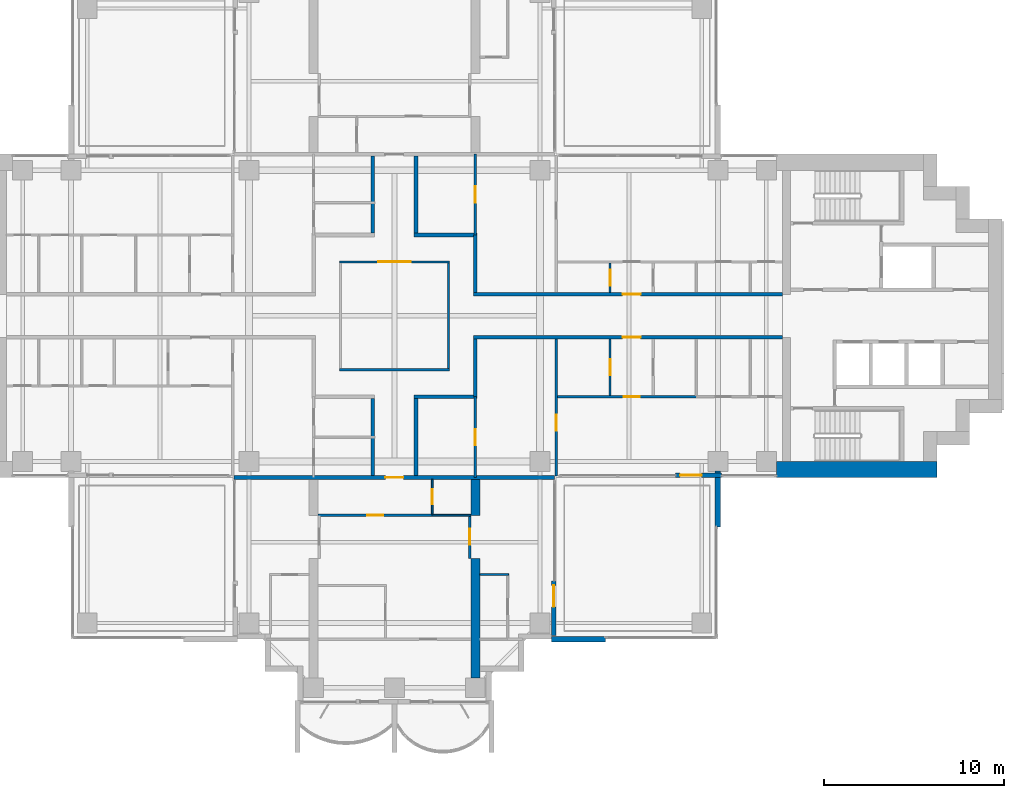
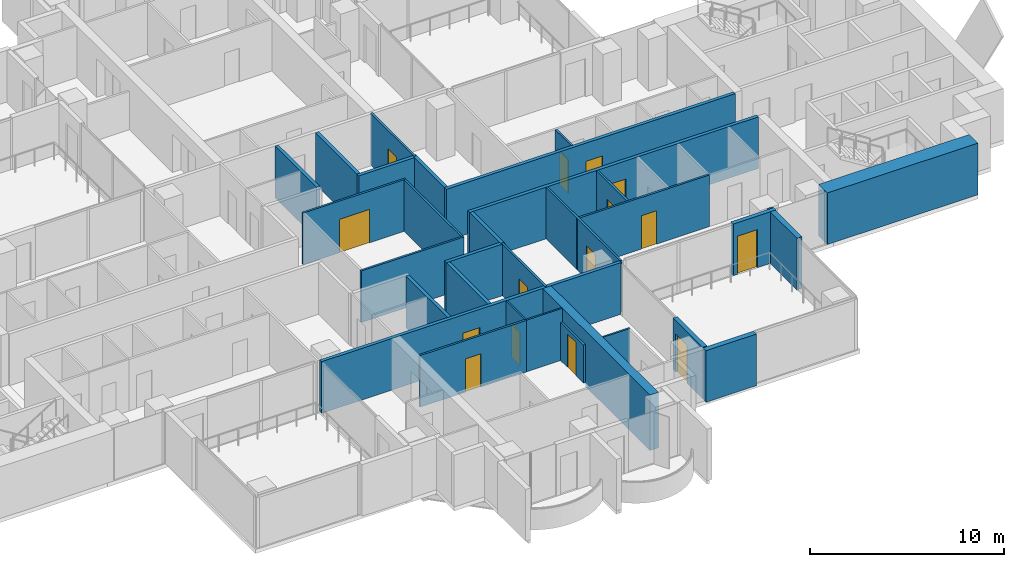
# One storey, part 11 of 18: 31 walls, 15 doors, 15 openings.
"""IFC4 building model written with IfcOpenShell, lengths in metres."""

from ifc_helpers import new_model, si_unit, direction, frame, frame_2d, origin, place, context, subcontext, project, spatial, polyline, rectangle, outline, extrude, material, layer, layer_set, material_profile, profile_set, type_object, element, fill, save


model = new_model("IFC4")

# Units and contexts
model_context = context("Model", 3, precision=1e-05, world=origin(), true_north=direction((0.0, 1.0)))
body_context = subcontext(model_context, "Body", "Model", "MODEL_VIEW")
ifc_project = project(units=[si_unit("LENGTHUNIT", "METRE"), si_unit("AREAUNIT", "SQUARE_METRE"), si_unit("VOLUMEUNIT", "CUBIC_METRE"), si_unit("PLANEANGLEUNIT", "RADIAN"), si_unit("MASSUNIT", "GRAM", prefix="KILO")], contexts=[model_context])

# Site, building, storey
site_placement = place(None, origin())
site = spatial("IfcSite", under=ifc_project, at=site_placement, CompositionType="ELEMENT")
building_placement = place(site_placement, origin())
building = spatial("IfcBuilding", under=site, at=building_placement, Name="Perihelion Cross Residences", CompositionType="ELEMENT")
storey_placement = place(building_placement, frame((0.0, 0.0, 133.89990234375)))
storey = spatial("IfcBuildingStorey", under=building, at=storey_placement, Name="L32", CompositionType="ELEMENT", Elevation=133.89990234375)

# Wall, opening, door
ifc_material_1 = material(Name="Plasterboard partition")
ifc_layer_1 = layer(ifc_material_1, 0.199951171875)
ifc_layer_set_1 = layer_set([ifc_layer_1], Name="Apartment separation wall 200")
wall_type_1 = type_object("IfcWallType", Name="Apartment separation wall 200", PredefinedType="PARTITIONING", material=ifc_layer_set_1)
wall_1_placement = place(storey_placement, frame((4.39990234375, 1.199951171875, 0.0), z_axis=(0.0, 0.0, 1.0), x_axis=(1.0, 0.0, 0.0)))
wall_1 = element("IfcWall", 1, at=wall_1_placement, inside=storey, type_object=wall_type_1, Name="Partition L32 W005", PredefinedType="PARTITIONING", context=body_context, shape_type="SweptSolid", body=[
    extrude(rectangle(XDim=17.2001953125, YDim=0.199951171875, at=frame_2d((8.60009765625, 0.0))), origin(), (0.0, 0.0, 1.0), 3.25),
])
opening_1_placement = place(wall_1_placement, frame((8.300048828125, 0.0, 0.0)))
opening_1 = element("IfcOpeningElement", 2, at=opening_1_placement, cuts=wall_1, Name="Opening L32.A46", PredefinedType="OPENING", context=body_context, shape_type="SweptSolid", body=[
    extrude(rectangle(XDim=1.0, YDim=2.10009765625, at=frame_2d((0.5, 1.050048828125))), frame((0.0, 0.10986328125, 0.0), z_axis=(0.0, -1.0, 0.0), x_axis=(1.0, 0.0, 0.0)), (0.0, 0.0, 1.0), 0.219970703125),
])
ifc_material_2 = material(Name="Timber door leaf", Category="wood")
door_type_1 = type_object("IfcDoorType", Name="Flat entrance door 1000 x 2100", OperationType="SINGLE_SWING_LEFT", PredefinedType="DOOR", material=ifc_material_2)
door_1_placement = place(opening_1_placement, origin())
door_1 = element("IfcDoor", 3, at=door_1_placement, inside=storey, type_object=door_type_1, Name="Door L32.A46", OperationType="SINGLE_SWING_LEFT", OverallHeight=2.10009765625, OverallWidth=1.0, PredefinedType="DOOR", context=body_context, shape_type="SweptSolid", body=[
    extrude(rectangle(XDim=1.0, YDim=2.10009765625, at=frame_2d((0.5, 1.050048828125))), frame((0.0, 0.02490234375, 0.0), z_axis=(0.0, -1.0, 0.0), x_axis=(1.0, 0.0, 0.0)), (0.0, 0.0, 1.0), 0.050048828125),
])
fill(opening_1, door_1)

# Walls
wall_2_placement = place(storey_placement, frame((4.5, 4.5, 0.0), z_axis=(0.0, 0.0, 1.0), x_axis=(0.0, -1.0, 0.0)))
element("IfcWall", 4, at=wall_2_placement, inside=storey, type_object=wall_type_1, Name="Partition L32 W006", PredefinedType="PARTITIONING", context=body_context, shape_type="SweptSolid", body=[
    extrude(rectangle(XDim=3.199951171875, YDim=0.199951171875, at=frame_2d((1.60009765625, 0.0))), origin(), (0.0, 0.0, 1.0), 3.25),
])
wall_3_placement = place(storey_placement, frame((1.199951171875, 8.89990234375, 0.0), z_axis=(0.0, 0.0, 1.0), x_axis=(0.0, -1.0, 0.0)))
element("IfcWall", 5, at=wall_3_placement, inside=storey, type_object=wall_type_1, Name="Partition L32 W007", PredefinedType="PARTITIONING", context=body_context, shape_type="SweptSolid", body=[
    extrude(rectangle(XDim=4.2998046875, YDim=0.199951171875, at=frame_2d((2.14990234375, 0.0))), origin(), (0.0, 0.0, 1.0), 3.25),
])
wall_4_placement = place(storey_placement, frame((1.10009765625, 4.5, 0.0), z_axis=(0.0, 0.0, 1.0), x_axis=(1.0, 0.0, 0.0)))
element("IfcWall", 6, at=wall_4_placement, inside=storey, type_object=wall_type_1, Name="Partition L32 W008", PredefinedType="PARTITIONING", context=body_context, shape_type="SweptSolid", body=[
    extrude(rectangle(XDim=3.5, YDim=0.199951171875, at=frame_2d((1.75, 0.0))), origin(), (0.0, 0.0, 1.0), 3.25),
])

# Wall, opening, door
wall_5_placement = place(storey_placement, frame((21.60009765625, -1.199951171875, 0.0), z_axis=(0.0, 0.0, 1.0), x_axis=(-1.0, 0.0, 0.0)))
wall_5 = element("IfcWall", 7, at=wall_5_placement, inside=storey, type_object=wall_type_1, Name="Partition L32 W009", PredefinedType="PARTITIONING", context=body_context, shape_type="SweptSolid", body=[
    extrude(rectangle(XDim=17.2001953125, YDim=0.199951171875, at=frame_2d((8.60009765625, 0.0))), origin(), (0.0, 0.0, 1.0), 3.25),
])
opening_2_placement = place(wall_5_placement, frame((7.89990234375, 0.0, 0.0)))
opening_2 = element("IfcOpeningElement", 8, at=opening_2_placement, cuts=wall_5, Name="Opening L32.A47", PredefinedType="OPENING", context=body_context, shape_type="SweptSolid", body=[
    extrude(rectangle(XDim=1.0, YDim=2.10009765625, at=frame_2d((0.5, 1.050048828125))), frame((0.0, 0.10986328125, 0.0), z_axis=(0.0, -1.0, 0.0), x_axis=(1.0, 0.0, 0.0)), (0.0, 0.0, 1.0), 0.219970703125),
])
door_2_placement = place(opening_2_placement, origin())
door_2 = element("IfcDoor", 9, at=door_2_placement, inside=storey, type_object=door_type_1, Name="Door L32.A47", OperationType="SINGLE_SWING_LEFT", OverallHeight=2.10009765625, OverallWidth=1.0, PredefinedType="DOOR", context=body_context, shape_type="SweptSolid", body=[
    extrude(rectangle(XDim=1.0, YDim=2.10009765625, at=frame_2d((0.5, 1.050048828125))), frame((0.0, 0.02490234375, 0.0), z_axis=(0.0, -1.0, 0.0), x_axis=(1.0, 0.0, 0.0)), (0.0, 0.0, 1.0), 0.050048828125),
])
fill(opening_2, door_2)

# Walls
wall_6_placement = place(storey_placement, frame((4.5, -1.300048828125, 0.0), z_axis=(0.0, 0.0, 1.0), x_axis=(0.0, -1.0, 0.0)))
element("IfcWall", 10, at=wall_6_placement, inside=storey, type_object=wall_type_1, Name="Partition L32 W010", PredefinedType="PARTITIONING", context=body_context, shape_type="SweptSolid", body=[
    extrude(rectangle(XDim=3.199951171875, YDim=0.199951171875, at=frame_2d((1.60009765625, 0.0))), origin(), (0.0, 0.0, 1.0), 3.25),
])
wall_7_placement = place(storey_placement, frame((4.60009765625, -4.5, 0.0), z_axis=(0.0, 0.0, 1.0), x_axis=(-1.0, 0.0, 0.0)))
element("IfcWall", 11, at=wall_7_placement, inside=storey, type_object=wall_type_1, Name="Partition L32 W011", PredefinedType="PARTITIONING", context=body_context, shape_type="SweptSolid", body=[
    extrude(rectangle(XDim=3.5, YDim=0.199951171875, at=frame_2d((1.75, 0.0))), origin(), (0.0, 0.0, 1.0), 3.25),
])
for number, where, z_axis, x_axis, name in (
    (12, (1.199951171875, -4.60009765625, 0.0), (0.0, 0.0, 1.0), (0.0, -1.0, 0.0), "Partition L32 W012"),
    (13, (-1.199951171875, 4.60009765625, 0.0), (0.0, 0.0, 1.0), (0.0, 1.0, 0.0), "Partition L32 W016"),
    (14, (-1.199951171875, -8.89990234375, 0.0), (0.0, 0.0, 1.0), (0.0, 1.0, 0.0), "Partition L32 W019"),
):
    element("IfcWall", number, at=place(storey_placement, frame(where, z_axis=z_axis, x_axis=x_axis)), inside=storey, type_object=wall_type_1, Name=name, PredefinedType="PARTITIONING", context=body_context, shape_type="SweptSolid", body=[
        extrude(rectangle(XDim=4.2998046875, YDim=0.199951171875, at=frame_2d((2.14990234375, 0.0))), origin(), (0.0, 0.0, 1.0), 3.25),
    ])

# Wall, opening, door
wall_8_placement = place(storey_placement, frame((8.919921875, -9.0, 0.0), z_axis=(0.0, 0.0, 1.0), x_axis=(-1.0, 0.0, 0.0)))
wall_8 = element("IfcWall", 15, at=wall_8_placement, inside=storey, type_object=wall_type_1, Name="Partition L32 W022", PredefinedType="PARTITIONING", context=body_context, shape_type="SweptSolid", body=[
    extrude(rectangle(XDim=17.83984375, YDim=0.199951171875, at=frame_2d((8.919921875, 0.0))), origin(), (0.0, 0.0, 1.0), 3.25),
])
opening_3_placement = place(wall_8_placement, frame((8.419921875, 0.0, 0.0)))
opening_3 = element("IfcOpeningElement", 16, at=opening_3_placement, cuts=wall_8, Name="Opening L32.A39", PredefinedType="OPENING", context=body_context, shape_type="SweptSolid", body=[
    extrude(rectangle(XDim=1.0, YDim=2.10009765625, at=frame_2d((0.5, 1.050048828125))), frame((0.0, 0.10986328125, 0.0), z_axis=(0.0, -1.0, 0.0), x_axis=(1.0, 0.0, 0.0)), (0.0, 0.0, 1.0), 0.219970703125),
])
door_3_placement = place(opening_3_placement, origin())
door_3 = element("IfcDoor", 17, at=door_3_placement, inside=storey, type_object=door_type_1, Name="Door L32.A39", OperationType="SINGLE_SWING_LEFT", OverallHeight=2.10009765625, OverallWidth=1.0, PredefinedType="DOOR", context=body_context, shape_type="SweptSolid", body=[
    extrude(rectangle(XDim=1.0, YDim=2.10009765625, at=frame_2d((0.5, 1.050048828125))), frame((0.0, 0.02490234375, 0.0), z_axis=(0.0, -1.0, 0.0), x_axis=(1.0, 0.0, 0.0)), (0.0, 0.0, 1.0), 0.050048828125),
])
fill(opening_3, door_3)

ifc_material_3 = material(Name="Concrete C30/37, bronze-clad", Category="concrete")
ifc_layer_2 = layer(ifc_material_3, 0.25)
ifc_layer_set_2 = layer_set([ifc_layer_2], Name="Bronze-clad pier wall 250")
wall_type_2 = type_object("IfcWallType", Name="Bronze-clad pier wall 250", PredefinedType="SOLIDWALL", material=ifc_layer_set_2)
wall_9_placement = place(storey_placement, frame((8.875, -17.800048828125, 0.0), z_axis=(0.0, 0.0, 1.0), x_axis=(0.0, 1.0, 0.0)))
wall_9 = element("IfcWall", 18, at=wall_9_placement, inside=storey, type_object=wall_type_2, Name="Wall FW1 L32 south side east bay 1 pier", PredefinedType="SOLIDWALL", context=body_context, shape_type="SweptSolid", body=[
    extrude(rectangle(XDim=3.050048828125, YDim=0.25, at=frame_2d((1.52490234375, 0.0))), origin(), (0.0, 0.0, 1.0), 3.25),
])
opening_4_placement = place(wall_9_placement, frame((1.60009765625, 0.0, 0.0)))
opening_4 = element("IfcOpeningElement", 19, at=opening_4_placement, cuts=wall_9, Name="Opening L32.E13", PredefinedType="OPENING", context=body_context, shape_type="SweptSolid", body=[
    extrude(rectangle(XDim=1.199951171875, YDim=2.39990234375, at=frame_2d((0.60009765625, 1.199951171875))), frame((0.0, 0.135009765625, 0.0), z_axis=(0.0, -1.0, 0.0), x_axis=(1.0, 0.0, 0.0)), (0.0, 0.0, 1.0), 0.27001953125),
])
ifc_material_4 = material(Name="Bronze anodised aluminium, glazed", Category="aluminium")
door_type_2 = type_object("IfcDoorType", Name="Balcony door 1200 x 2400", OperationType="NOTDEFINED", PredefinedType="DOOR", material=ifc_material_4)
door_4_placement = place(opening_4_placement, origin())
door_4 = element("IfcDoor", 20, at=door_4_placement, inside=storey, type_object=door_type_2, Name="Door L32.E13 south side east bay 1", OperationType="SINGLE_SWING_RIGHT", OverallHeight=2.39990234375, OverallWidth=1.199951171875, PredefinedType="DOOR", context=body_context, shape_type="SweptSolid", body=[
    extrude(rectangle(XDim=1.199951171875, YDim=2.39990234375, at=frame_2d((0.60009765625, 1.199951171875))), frame((0.0, 0.02490234375, 0.0), z_axis=(0.0, -1.0, 0.0), x_axis=(1.0, 0.0, 0.0)), (0.0, 0.0, 1.0), 0.050048828125),
])
fill(opening_4, door_4)

wall_10_placement = place(storey_placement, frame((15.64990234375, -8.875, 0.0), z_axis=(0.0, 0.0, 1.0), x_axis=(1.0, 0.0, 0.0)))
wall_10 = element("IfcWall", 21, at=wall_10_placement, inside=storey, type_object=wall_type_2, Name="Wall FW1 L32 east side south bay 1 pier", PredefinedType="SOLIDWALL", context=body_context, shape_type="SweptSolid", body=[
    extrude(rectangle(XDim=2.550048828125, YDim=0.25, at=frame_2d((1.27490234375, 0.0))), origin(), (0.0, 0.0, 1.0), 3.25),
])
opening_5_placement = place(wall_10_placement, frame((0.25, 0.0, 0.0)))
opening_5 = element("IfcOpeningElement", 22, at=opening_5_placement, cuts=wall_10, Name="Opening L32.E14", PredefinedType="OPENING", context=body_context, shape_type="SweptSolid", body=[
    extrude(rectangle(XDim=1.199951171875, YDim=2.39990234375, at=frame_2d((0.60009765625, 1.199951171875))), frame((0.0, 0.135009765625, 0.0), z_axis=(0.0, -1.0, 0.0), x_axis=(1.0, 0.0, 0.0)), (0.0, 0.0, 1.0), 0.27001953125),
])
door_5_placement = place(opening_5_placement, origin())
door_5 = element("IfcDoor", 23, at=door_5_placement, inside=storey, type_object=door_type_2, Name="Door L32.E14 east side south bay 1", OperationType="SINGLE_SWING_LEFT", OverallHeight=2.39990234375, OverallWidth=1.199951171875, PredefinedType="DOOR", context=body_context, shape_type="SweptSolid", body=[
    extrude(rectangle(XDim=1.199951171875, YDim=2.39990234375, at=frame_2d((0.60009765625, 1.199951171875))), frame((0.0, 0.02490234375, 0.0), z_axis=(0.0, -1.0, 0.0), x_axis=(1.0, 0.0, 0.0)), (0.0, 0.0, 1.0), 0.050048828125),
])
fill(opening_5, door_5)

# Wall
ifc_material_5 = material(Name="Concrete C60/75", Category="concrete")
ifc_layer_3 = layer(ifc_material_5, 0.89990234375)
ifc_layer_set_3 = layer_set([ifc_layer_3], Name="Core wall, outer 900")
wall_type_3 = type_object("IfcWallType", Name="Core wall, outer 900", PredefinedType="SHEAR", material=ifc_layer_set_3)
wall_11_placement = place(storey_placement, frame((21.25, -8.550048828125, 0.0), z_axis=(0.0, 0.0, 1.0), x_axis=(1.0, 0.0, 0.0)))
element("IfcWall", 24, at=wall_11_placement, inside=storey, type_object=wall_type_3, Name="East core core wall, outer", PredefinedType="SHEAR", context=body_context, shape_type="SweptSolid", body=[
    extrude(rectangle(XDim=8.949951171875, YDim=0.89990234375, at=frame_2d((4.47509765625, 0.0))), origin(), (0.0, 0.0, 1.0), 3.25),
])

# Wall, opening, door
ifc_material_6 = material(Name="Plasterboard partition")
ifc_layer_4 = layer(ifc_material_6, 0.1201171875)
ifc_layer_set_4 = layer_set([ifc_layer_4], Name="Infill panel 120")
wall_type_4 = type_object("IfcWallType", Name="Infill panel 120", PredefinedType="PARTITIONING", material=ifc_layer_set_4)
wall_12_placement = place(storey_placement, frame((4.18994140625, -11.10009765625, 0.0), z_axis=(0.0, 0.0, 1.0), x_axis=(0.0, -1.0, 0.0)))
wall_12 = element("IfcWall", 25, at=wall_12_placement, inside=storey, type_object=wall_type_4, Name="Partition L32 WI05", PredefinedType="PARTITIONING", context=body_context, shape_type="SweptSolid", body=[
    extrude(rectangle(XDim=2.39990234375, YDim=0.1201171875, at=frame_2d((1.199951171875, 0.0))), origin(), (0.0, 0.0, 1.0), 2.400146484375),
])
opening_6_placement = place(wall_12_placement, frame((0.75, 0.0, 0.0)))
opening_6 = element("IfcOpeningElement", 26, at=opening_6_placement, cuts=wall_12, Name="Opening L32.A54", PredefinedType="OPENING", context=body_context, shape_type="SweptSolid", body=[
    extrude(rectangle(XDim=0.89990234375, YDim=2.10009765625, at=frame_2d((0.449951171875, 1.050048828125))), frame((0.0, 0.070068359375, 0.0), z_axis=(0.0, -1.0, 0.0), x_axis=(1.0, 0.0, 0.0)), (0.0, 0.0, 1.0), 0.14013671875),
])
ifc_material_7 = material(Name="Timber door leaf", Category="wood")
door_type_3 = type_object("IfcDoorType", Name="Interior room door 900 x 2100", OperationType="SINGLE_SWING_LEFT", PredefinedType="DOOR", material=ifc_material_7)
door_6_placement = place(opening_6_placement, origin())
door_6 = element("IfcDoor", 27, at=door_6_placement, inside=storey, type_object=door_type_3, Name="Door L32.A54", OperationType="SINGLE_SWING_LEFT", OverallHeight=2.10009765625, OverallWidth=0.89990234375, PredefinedType="DOOR", context=body_context, shape_type="SweptSolid", body=[
    extrude(rectangle(XDim=0.89990234375, YDim=2.10009765625, at=frame_2d((0.449951171875, 1.050048828125))), frame((0.0, 0.02490234375, 0.0), z_axis=(0.0, -1.0, 0.0), x_axis=(1.0, 0.0, 0.0)), (0.0, 0.0, 1.0), 0.050048828125),
])
fill(opening_6, door_6)

# Walls
ifc_material_8 = material(Name="Plasterboard partition")
ifc_layer_5 = layer(ifc_material_8, 0.1201171875)
ifc_layer_set_5 = layer_set([ifc_layer_5], Name="Partition wall 120")
wall_type_5 = type_object("IfcWallType", Name="Partition wall 120", PredefinedType="PARTITIONING", material=ifc_layer_set_5)
wall_13_placement = place(storey_placement, frame((-3.06005859375, -3.0, 0.0), z_axis=(0.0, 0.0, 1.0), x_axis=(1.0, 0.0, 0.0)))
element("IfcWall", 28, at=wall_13_placement, inside=storey, type_object=wall_type_5, Name="Partition L32 W001", PredefinedType="PARTITIONING", context=body_context, shape_type="SweptSolid", body=[
    extrude(rectangle(XDim=6.1201171875, YDim=0.1201171875, at=frame_2d((3.06005859375, 0.0))), origin(), (0.0, 0.0, 1.0), 3.25),
])
wall_14_placement = place(storey_placement, frame((3.0, -2.93994140625, 0.0), z_axis=(0.0, 0.0, 1.0), x_axis=(0.0, 1.0, 0.0)))
element("IfcWall", 29, at=wall_14_placement, inside=storey, type_object=wall_type_5, Name="Partition L32 W002", PredefinedType="PARTITIONING", context=body_context, shape_type="SweptSolid", body=[
    extrude(rectangle(XDim=5.8798828125, YDim=0.1201171875, at=frame_2d((2.93994140625, 0.0))), origin(), (0.0, 0.0, 1.0), 3.25),
])

# Wall, opening, door
wall_15_placement = place(storey_placement, frame((3.06005859375, 3.0, 0.0), z_axis=(0.0, 0.0, 1.0), x_axis=(-1.0, 0.0, 0.0)))
wall_15 = element("IfcWall", 30, at=wall_15_placement, inside=storey, type_object=wall_type_5, Name="Partition L32 W003", PredefinedType="PARTITIONING", context=body_context, shape_type="SweptSolid", body=[
    extrude(rectangle(XDim=6.1201171875, YDim=0.1201171875, at=frame_2d((3.06005859375, 0.0))), origin(), (0.0, 0.0, 1.0), 3.25),
])
opening_7_placement = place(wall_15_placement, frame((2.159912109375, 0.0, 0.0)))
opening_7 = element("IfcOpeningElement", 31, at=opening_7_placement, cuts=wall_15, Name="Opening L32.A01", PredefinedType="OPENING", context=body_context, shape_type="SweptSolid", body=[
    extrude(rectangle(XDim=1.800048828125, YDim=2.10009765625, at=frame_2d((0.89990234375, 1.050048828125))), frame((0.0, 0.070068359375, 0.0), z_axis=(0.0, -1.0, 0.0), x_axis=(1.0, 0.0, 0.0)), (0.0, 0.0, 1.0), 0.14013671875),
])
ifc_material_9 = material(Name="Glazed timber door leaf", Category="wood")
door_type_4 = type_object("IfcDoorType", Name="Interior double leaf door 1800 x 2100", OperationType="DOUBLE_DOOR_SINGLE_SWING", PredefinedType="DOOR", material=ifc_material_9)
door_7_placement = place(opening_7_placement, origin())
door_7 = element("IfcDoor", 32, at=door_7_placement, inside=storey, type_object=door_type_4, Name="Door L32.A01", OperationType="SINGLE_SWING_LEFT", OverallHeight=2.10009765625, OverallWidth=1.800048828125, PredefinedType="DOOR", context=body_context, shape_type="SweptSolid", body=[
    extrude(rectangle(XDim=1.800048828125, YDim=2.10009765625, at=frame_2d((0.89990234375, 1.050048828125))), frame((0.0, 0.02490234375, 0.0), z_axis=(0.0, -1.0, 0.0), x_axis=(1.0, 0.0, 0.0)), (0.0, 0.0, 1.0), 0.050048828125),
])
fill(opening_7, door_7)

wall_16_placement = place(storey_placement, frame((12.0, 2.93994140625, 0.0), z_axis=(0.0, 0.0, 1.0), x_axis=(0.0, -1.0, 0.0)))
wall_16 = element("IfcWall", 33, at=wall_16_placement, inside=storey, type_object=wall_type_5, Name="Partition L32 W023", PredefinedType="PARTITIONING", context=body_context, shape_type="SweptSolid", body=[
    extrude(rectangle(XDim=1.639892578125, YDim=0.1201171875, at=frame_2d((0.81982421875, 0.0))), origin(), (0.0, 0.0, 1.0), 3.25),
])
opening_8_placement = place(wall_16_placement, frame((0.3701171875, 0.0, 0.0)))
opening_8 = element("IfcOpeningElement", 34, at=opening_8_placement, cuts=wall_16, Name="Opening L32.A04", PredefinedType="OPENING", context=body_context, shape_type="SweptSolid", body=[
    extrude(rectangle(XDim=0.89990234375, YDim=2.10009765625, at=frame_2d((0.449951171875, 1.050048828125))), frame((0.0, 0.070068359375, 0.0), z_axis=(0.0, -1.0, 0.0), x_axis=(1.0, 0.0, 0.0)), (0.0, 0.0, 1.0), 0.14013671875),
])
door_8_placement = place(opening_8_placement, origin())
door_8 = element("IfcDoor", 35, at=door_8_placement, inside=storey, type_object=door_type_3, Name="Door L32.A04", OperationType="SINGLE_SWING_LEFT", OverallHeight=2.10009765625, OverallWidth=0.89990234375, PredefinedType="DOOR", context=body_context, shape_type="SweptSolid", body=[
    extrude(rectangle(XDim=0.89990234375, YDim=2.10009765625, at=frame_2d((0.449951171875, 1.050048828125))), frame((0.0, 0.02490234375, 0.0), z_axis=(0.0, -1.0, 0.0), x_axis=(1.0, 0.0, 0.0)), (0.0, 0.0, 1.0), 0.050048828125),
])
fill(opening_8, door_8)

wall_17_placement = place(storey_placement, frame((4.5, 4.5, 0.0), z_axis=(0.0, 0.0, 1.0), x_axis=(0.0, 1.0, 0.0)))
wall_17 = element("IfcWall", 36, at=wall_17_placement, inside=storey, type_object=wall_type_5, Name="Partition L32 W031", PredefinedType="PARTITIONING", context=body_context, shape_type="SweptSolid", body=[
    extrude(rectangle(XDim=4.5, YDim=0.1201171875, at=frame_2d((2.25, 0.0))), origin(), (0.0, 0.0, 1.0), 3.25),
])
opening_9_placement = place(wall_17_placement, frame((1.800048828125, 0.0, 0.0)))
opening_9 = element("IfcOpeningElement", 37, at=opening_9_placement, cuts=wall_17, Name="Opening L32.A03", PredefinedType="OPENING", context=body_context, shape_type="SweptSolid", body=[
    extrude(rectangle(XDim=0.89990234375, YDim=2.10009765625, at=frame_2d((0.449951171875, 1.050048828125))), frame((0.0, 0.070068359375, 0.0), z_axis=(0.0, -1.0, 0.0), x_axis=(1.0, 0.0, 0.0)), (0.0, 0.0, 1.0), 0.14013671875),
])
door_9_placement = place(opening_9_placement, origin())
door_9 = element("IfcDoor", 38, at=door_9_placement, inside=storey, type_object=door_type_3, Name="Door L32.A03", OperationType="SINGLE_SWING_LEFT", OverallHeight=2.10009765625, OverallWidth=0.89990234375, PredefinedType="DOOR", context=body_context, shape_type="SweptSolid", body=[
    extrude(rectangle(XDim=0.89990234375, YDim=2.10009765625, at=frame_2d((0.449951171875, 1.050048828125))), frame((0.0, 0.02490234375, 0.0), z_axis=(0.0, -1.0, 0.0), x_axis=(1.0, 0.0, 0.0)), (0.0, 0.0, 1.0), 0.050048828125),
])
fill(opening_9, door_9)

wall_18_placement = place(storey_placement, frame((12.0, -1.300048828125, 0.0), z_axis=(0.0, 0.0, 1.0), x_axis=(0.0, -1.0, 0.0)))
wall_18 = element("IfcWall", 39, at=wall_18_placement, inside=storey, type_object=wall_type_5, Name="Partition L32 W032", PredefinedType="PARTITIONING", context=body_context, shape_type="SweptSolid", body=[
    extrude(rectangle(XDim=3.139892578125, YDim=0.1201171875, at=frame_2d((1.56982421875, 0.0))), origin(), (0.0, 0.0, 1.0), 3.25),
])
opening_10_placement = place(wall_18_placement, frame((1.1201171875, 0.0, 0.0)))
opening_10 = element("IfcOpeningElement", 40, at=opening_10_placement, cuts=wall_18, Name="Opening L32.A11", PredefinedType="OPENING", context=body_context, shape_type="SweptSolid", body=[
    extrude(rectangle(XDim=0.89990234375, YDim=2.10009765625, at=frame_2d((0.449951171875, 1.050048828125))), frame((0.0, 0.070068359375, 0.0), z_axis=(0.0, -1.0, 0.0), x_axis=(1.0, 0.0, 0.0)), (0.0, 0.0, 1.0), 0.14013671875),
])
door_10_placement = place(opening_10_placement, origin())
door_10 = element("IfcDoor", 41, at=door_10_placement, inside=storey, type_object=door_type_3, Name="Door L32.A11", OperationType="SINGLE_SWING_RIGHT", OverallHeight=2.10009765625, OverallWidth=0.89990234375, PredefinedType="DOOR", context=body_context, shape_type="SweptSolid", body=[
    extrude(rectangle(XDim=0.89990234375, YDim=2.10009765625, at=frame_2d((0.449951171875, 1.050048828125))), frame((0.0, 0.02490234375, 0.0), z_axis=(0.0, -1.0, 0.0), x_axis=(1.0, 0.0, 0.0)), (0.0, 0.0, 1.0), 0.050048828125),
])
fill(opening_10, door_10)

wall_19_placement = place(storey_placement, frame((16.800048828125, -4.5, 0.0), z_axis=(0.0, 0.0, 1.0), x_axis=(-1.0, 0.0, 0.0)))
wall_19 = element("IfcWall", 42, at=wall_19_placement, inside=storey, type_object=wall_type_5, Name="Partition L32 W033", PredefinedType="PARTITIONING", context=body_context, shape_type="SweptSolid", body=[
    extrude(rectangle(XDim=7.860107421875, YDim=0.1201171875, at=frame_2d((3.93017578125, 0.0))), origin(), (0.0, 0.0, 1.0), 3.25),
])
opening_11_placement = place(wall_19_placement, frame((3.14990234375, 0.0, 0.0)))
opening_11 = element("IfcOpeningElement", 43, at=opening_11_placement, cuts=wall_19, Name="Opening L32.A13", PredefinedType="OPENING", context=body_context, shape_type="SweptSolid", body=[
    extrude(rectangle(XDim=0.89990234375, YDim=2.10009765625, at=frame_2d((0.449951171875, 1.050048828125))), frame((0.0, 0.070068359375, 0.0), z_axis=(0.0, -1.0, 0.0), x_axis=(1.0, 0.0, 0.0)), (0.0, 0.0, 1.0), 0.14013671875),
])
door_11_placement = place(opening_11_placement, origin())
door_11 = element("IfcDoor", 44, at=door_11_placement, inside=storey, type_object=door_type_3, Name="Door L32.A13", OperationType="SINGLE_SWING_LEFT", OverallHeight=2.10009765625, OverallWidth=0.89990234375, PredefinedType="DOOR", context=body_context, shape_type="SweptSolid", body=[
    extrude(rectangle(XDim=0.89990234375, YDim=2.10009765625, at=frame_2d((0.449951171875, 1.050048828125))), frame((0.0, 0.02490234375, 0.0), z_axis=(0.0, -1.0, 0.0), x_axis=(1.0, 0.0, 0.0)), (0.0, 0.0, 1.0), 0.050048828125),
])
fill(opening_11, door_11)

wall_20_placement = place(storey_placement, frame((9.0, -8.919921875, 0.0), z_axis=(0.0, 0.0, 1.0), x_axis=(0.0, 1.0, 0.0)))
wall_20 = element("IfcWall", 45, at=wall_20_placement, inside=storey, type_object=wall_type_5, Name="Partition L32 W034", PredefinedType="PARTITIONING", context=body_context, shape_type="SweptSolid", body=[
    extrude(rectangle(XDim=7.619873046875, YDim=0.1201171875, at=frame_2d((3.81005859375, 0.0))), origin(), (0.0, 0.0, 1.0), 3.25),
])
opening_12_placement = place(wall_20_placement, frame((2.52001953125, 0.0, 0.0)))
opening_12 = element("IfcOpeningElement", 46, at=opening_12_placement, cuts=wall_20, Name="Opening L32.A14", PredefinedType="OPENING", context=body_context, shape_type="SweptSolid", body=[
    extrude(rectangle(XDim=0.89990234375, YDim=2.10009765625, at=frame_2d((0.449951171875, 1.050048828125))), frame((0.0, 0.070068359375, 0.0), z_axis=(0.0, -1.0, 0.0), x_axis=(1.0, 0.0, 0.0)), (0.0, 0.0, 1.0), 0.14013671875),
])
door_12_placement = place(opening_12_placement, origin())
door_12 = element("IfcDoor", 47, at=door_12_placement, inside=storey, type_object=door_type_3, Name="Door L32.A14", OperationType="SINGLE_SWING_RIGHT", OverallHeight=2.10009765625, OverallWidth=0.89990234375, PredefinedType="DOOR", context=body_context, shape_type="SweptSolid", body=[
    extrude(rectangle(XDim=0.89990234375, YDim=2.10009765625, at=frame_2d((0.449951171875, 1.050048828125))), frame((0.0, 0.02490234375, 0.0), z_axis=(0.0, -1.0, 0.0), x_axis=(1.0, 0.0, 0.0)), (0.0, 0.0, 1.0), 0.050048828125),
])
fill(opening_12, door_12)

wall_21_placement = place(storey_placement, frame((4.5, -9.0, 0.0), z_axis=(0.0, 0.0, 1.0), x_axis=(0.0, 1.0, 0.0)))
wall_21 = element("IfcWall", 48, at=wall_21_placement, inside=storey, type_object=wall_type_5, Name="Partition L32 W040", PredefinedType="PARTITIONING", context=body_context, shape_type="SweptSolid", body=[
    extrude(rectangle(XDim=4.5, YDim=0.1201171875, at=frame_2d((2.25, 0.0))), origin(), (0.0, 0.0, 1.0), 3.25),
])
opening_13_placement = place(wall_21_placement, frame((1.800048828125, 0.0, 0.0)))
opening_13 = element("IfcOpeningElement", 49, at=opening_13_placement, cuts=wall_21, Name="Opening L32.A10", PredefinedType="OPENING", context=body_context, shape_type="SweptSolid", body=[
    extrude(rectangle(XDim=0.89990234375, YDim=2.10009765625, at=frame_2d((0.449951171875, 1.050048828125))), frame((0.0, 0.070068359375, 0.0), z_axis=(0.0, -1.0, 0.0), x_axis=(1.0, 0.0, 0.0)), (0.0, 0.0, 1.0), 0.14013671875),
])
door_13_placement = place(opening_13_placement, origin())
door_13 = element("IfcDoor", 50, at=door_13_placement, inside=storey, type_object=door_type_3, Name="Door L32.A10", OperationType="SINGLE_SWING_LEFT", OverallHeight=2.10009765625, OverallWidth=0.89990234375, PredefinedType="DOOR", context=body_context, shape_type="SweptSolid", body=[
    extrude(rectangle(XDim=0.89990234375, YDim=2.10009765625, at=frame_2d((0.449951171875, 1.050048828125))), frame((0.0, 0.02490234375, 0.0), z_axis=(0.0, -1.0, 0.0), x_axis=(1.0, 0.0, 0.0)), (0.0, 0.0, 1.0), 0.050048828125),
])
fill(opening_13, door_13)

wall_22_placement = place(storey_placement, frame((2.10009765625, -11.10009765625, 0.0), z_axis=(0.0, 0.0, 1.0), x_axis=(-1.0, 0.0, 0.0)))
wall_22 = element("IfcWall", 51, at=wall_22_placement, inside=storey, type_object=wall_type_5, Name="Partition L32 W078", PredefinedType="PARTITIONING", context=body_context, shape_type="SweptSolid", body=[
    extrude(rectangle(XDim=6.35009765625, YDim=0.1201171875, at=frame_2d((3.175048828125, 0.0))), origin(), (0.0, 0.0, 1.0), 3.25),
])
opening_14_placement = place(wall_22_placement, frame((2.72509765625, 0.0, 0.0)))
opening_14 = element("IfcOpeningElement", 52, at=opening_14_placement, cuts=wall_22, Name="Opening L32.A41", PredefinedType="OPENING", context=body_context, shape_type="SweptSolid", body=[
    extrude(rectangle(XDim=0.89990234375, YDim=2.10009765625, at=frame_2d((0.449951171875, 1.050048828125))), frame((0.0, 0.070068359375, 0.0), z_axis=(0.0, -1.0, 0.0), x_axis=(1.0, 0.0, 0.0)), (0.0, 0.0, 1.0), 0.14013671875),
])
door_14_placement = place(opening_14_placement, origin())
door_14 = element("IfcDoor", 53, at=door_14_placement, inside=storey, type_object=door_type_3, Name="Door L32.A41", OperationType="SINGLE_SWING_LEFT", OverallHeight=2.10009765625, OverallWidth=0.89990234375, PredefinedType="DOOR", context=body_context, shape_type="SweptSolid", body=[
    extrude(rectangle(XDim=0.89990234375, YDim=2.10009765625, at=frame_2d((0.449951171875, 1.050048828125))), frame((0.0, 0.02490234375, 0.0), z_axis=(0.0, -1.0, 0.0), x_axis=(1.0, 0.0, 0.0)), (0.0, 0.0, 1.0), 0.050048828125),
])
fill(opening_14, door_14)

# Walls
ifc_material_10 = material(Name="Precast concrete C50/60", Category="concrete")
ifc_layer_6 = layer(ifc_material_10, 0.300048828125)
ifc_layer_set_6 = layer_set([ifc_layer_6], Name="Precast concrete C50/60 blade wall 300")
wall_type_6 = type_object("IfcWallType", Name="Precast concrete C50/60 blade wall 300", PredefinedType="SOLIDWALL", material=ifc_layer_set_6)
wall_23_placement = place(storey_placement, frame((8.75, -18.0, 0.0), z_axis=(0.0, 0.0, 1.0), x_axis=(1.0, 0.0, 0.0)))
element("IfcWall", 54, at=wall_23_placement, inside=storey, type_object=wall_type_6, Name="Wall BL1 L32 no. 14", PredefinedType="SOLIDWALL", context=body_context, shape_type="SweptSolid", body=[
    extrude(rectangle(XDim=2.989990234375, YDim=0.300048828125, at=frame_2d((1.4951171875, 0.0))), origin(), (0.0, 0.0, 1.0), 3.25),
])
wall_24_placement = place(storey_placement, frame((18.0, -8.64990234375, 0.0), z_axis=(0.0, 0.0, 1.0), x_axis=(0.0, -1.0, 0.0)))
element("IfcWall", 55, at=wall_24_placement, inside=storey, type_object=wall_type_6, Name="Wall BL1 L32 no. 10", PredefinedType="SOLIDWALL", context=body_context, shape_type="SweptSolid", body=[
    extrude(rectangle(XDim=3.090087890625, YDim=0.300048828125, at=frame_2d((1.544921875, 0.0))), origin(), (0.0, 0.0, 1.0), 3.25),
])
ifc_material_11 = material(Name="Concrete C60/75", Category="concrete")
ifc_material_profile = material_profile(ifc_material_11, outline(polyline([(0.0, 0.0), (6.64990234375, 0.0), (6.64990234375, 2.64990234375), (9.050048828125, 2.64990234375), (9.050048828125, 0.0), (11.14990234375, 0.0), (11.14990234375, 3.5), (0.0, 3.5), (0.0, 0.0)])), Name="Tip spine wall")
ifc_profile_set = profile_set([ifc_material_profile], Name="Concrete C60/75")
wall_type_7 = type_object("IfcWallType", Name="Tip spine wall 500 with 1 door openings 11150 long 3500 high concrete C60/75", PredefinedType="SHEAR", material=ifc_profile_set)
wall_25_placement = place(storey_placement, frame((4.25, -20.14990234375, -0.25), z_axis=(1.0, 0.0, 0.0), x_axis=(0.0, 1.0, 0.0)))
element("IfcWall", 56, at=wall_25_placement, inside=storey, type_object=wall_type_7, Name="Shear wall SW33 L32 south east", PredefinedType="SHEAR", context=body_context, shape_type="SweptSolid", body=[
    extrude(outline(polyline([(0.0, 0.0), (6.64990234375, 0.0), (6.64990234375, 2.64990234375), (9.050048828125, 2.64990234375), (9.050048828125, 0.0), (11.14990234375, 0.0), (11.14990234375, 3.5), (0.0, 3.5), (0.0, 0.0)])), origin(), (0.0, 0.0, 1.0), 0.5),
])

# Wall, opening, door
ifc_material_12 = material(Name="Plasterboard partition")
ifc_layer_7 = layer(ifc_material_12, 0.10009765625)
ifc_layer_set_7 = layer_set([ifc_layer_7], Name="Wet room wall 100")
wall_type_8 = type_object("IfcWallType", Name="Wet room wall 100", PredefinedType="PARTITIONING", material=ifc_layer_set_7)
wall_26_placement = place(storey_placement, frame((2.10009765625, -9.10009765625, 0.0), z_axis=(0.0, 0.0, 1.0), x_axis=(0.0, -1.0, 0.0)))
wall_26 = element("IfcWall", 57, at=wall_26_placement, inside=storey, type_object=wall_type_8, Name="Partition L32 W077", PredefinedType="PARTITIONING", context=body_context, shape_type="SweptSolid", body=[
    extrude(rectangle(XDim=1.93994140625, YDim=0.10009765625, at=frame_2d((0.969970703125, 0.0))), origin(), (0.0, 0.0, 1.0), 3.25),
])
opening_15_placement = place(wall_26_placement, frame((0.544921875, 0.0, 0.0)))
opening_15 = element("IfcOpeningElement", 58, at=opening_15_placement, cuts=wall_26, Name="Opening L32.A40", PredefinedType="OPENING", context=body_context, shape_type="SweptSolid", body=[
    extrude(rectangle(XDim=0.85009765625, YDim=2.10009765625, at=frame_2d((0.425048828125, 1.050048828125))), frame((0.0, 0.06005859375, 0.0), z_axis=(0.0, -1.0, 0.0), x_axis=(1.0, 0.0, 0.0)), (0.0, 0.0, 1.0), 0.1201171875),
])
ifc_material_13 = material(Name="Timber door leaf", Category="wood")
door_type_5 = type_object("IfcDoorType", Name="Interior bathroom door 850 x 2100", OperationType="SINGLE_SWING_LEFT", PredefinedType="DOOR", material=ifc_material_13)
door_15_placement = place(opening_15_placement, origin())
door_15 = element("IfcDoor", 59, at=door_15_placement, inside=storey, type_object=door_type_5, Name="Door L32.A40", OperationType="SINGLE_SWING_RIGHT", OverallHeight=2.10009765625, OverallWidth=0.85009765625, PredefinedType="DOOR", context=body_context, shape_type="SweptSolid", body=[
    extrude(rectangle(XDim=0.85009765625, YDim=2.10009765625, at=frame_2d((0.425048828125, 1.050048828125))), frame((0.0, 0.02490234375, 0.0), z_axis=(0.0, -1.0, 0.0), x_axis=(1.0, 0.0, 0.0)), (0.0, 0.0, 1.0), 0.050048828125),
])
fill(opening_15, door_15)

# Walls
wall_27_placement = place(storey_placement, frame((4.25, -11.10009765625, 0.0), z_axis=(0.0, 0.0, 1.0), x_axis=(-1.0, 0.0, 0.0)))
element("IfcWall", 60, at=wall_27_placement, inside=storey, type_object=wall_type_8, Name="Partition L32 W079", PredefinedType="PARTITIONING", context=body_context, shape_type="SweptSolid", body=[
    extrude(rectangle(XDim=2.14990234375, YDim=0.10009765625, at=frame_2d((1.074951171875, 0.0))), origin(), (0.0, 0.0, 1.0), 3.25),
])
wall_28_placement = place(storey_placement, frame((6.35009765625, -14.39990234375, 0.0), z_axis=(0.0, 0.0, 1.0), x_axis=(-1.0, 0.0, 0.0)))
element("IfcWall", 61, at=wall_28_placement, inside=storey, type_object=wall_type_8, Name="Partition L32 W084", PredefinedType="PARTITIONING", context=body_context, shape_type="SweptSolid", body=[
    extrude(rectangle(XDim=1.60009765625, YDim=0.10009765625, at=frame_2d((0.800048828125, 0.0))), origin(), (0.0, 0.0, 1.0), 3.25),
])

save(model, "model.ifc")
